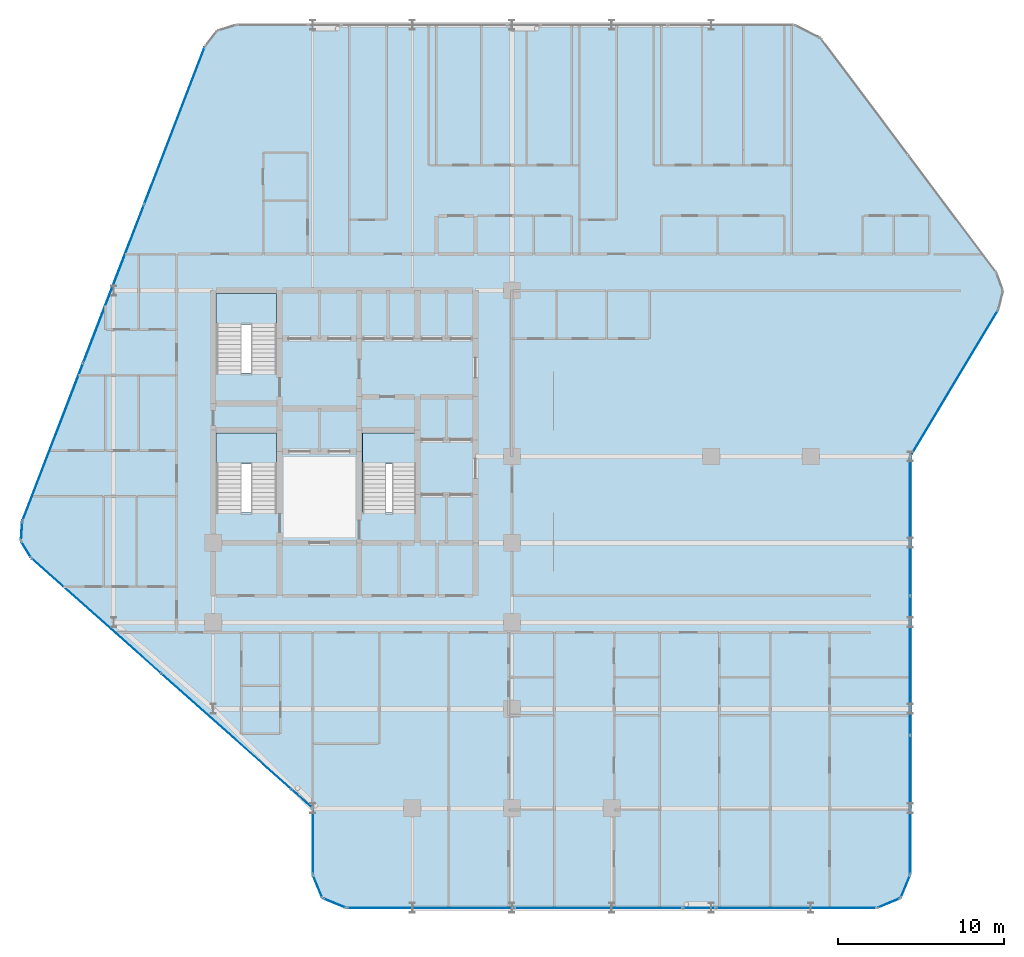
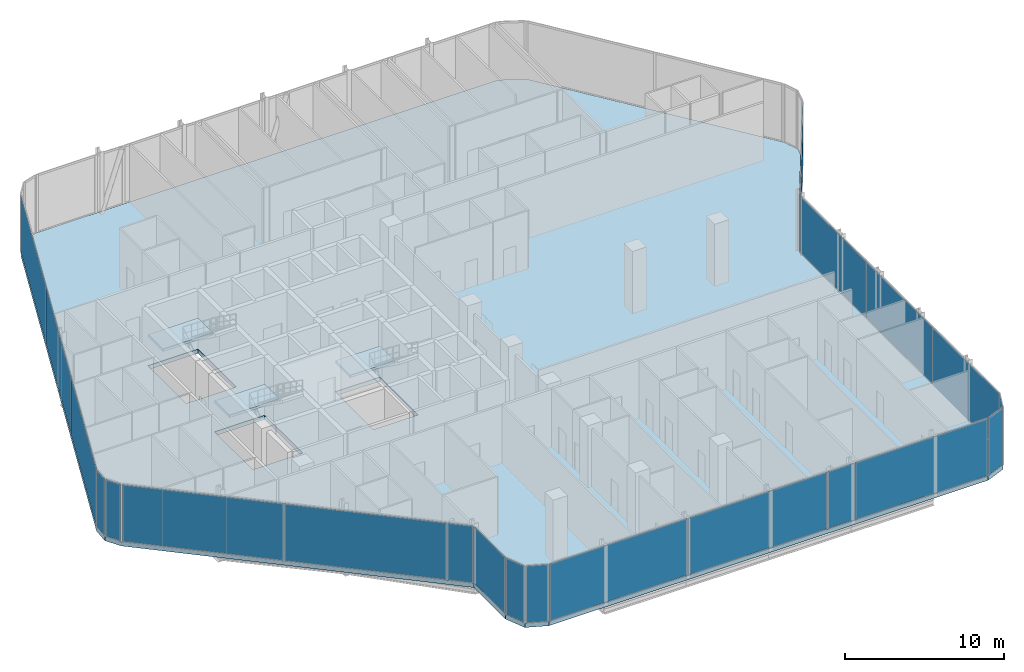
# One storey, part 21 of 29: 21 plates, 4 slabs, 18 elements without a shape of their own.
"""IFC4 building model written with IfcOpenShell, lengths in metres."""

from ifc_helpers import new_model, si_unit, direction, frame, origin, origin_2d, place, context, subcontext, project, spatial, polyline, rectangle, outline, extrude, material, layer, layer_set, type_object, element, aggregate, save


model = new_model("IFC4")

# Units and contexts
model_context = context("Model", 3, precision=1e-05, world=origin(), true_north=direction((0.0, 1.0)))
body_context = subcontext(model_context, "Body", "Model", "MODEL_VIEW")
ifc_project = project(units=[si_unit("LENGTHUNIT", "METRE"), si_unit("AREAUNIT", "SQUARE_METRE"), si_unit("VOLUMEUNIT", "CUBIC_METRE"), si_unit("PLANEANGLEUNIT", "RADIAN"), si_unit("MASSUNIT", "GRAM", prefix="KILO")], contexts=[model_context])

# Site, building, storey
site_placement = place(None, origin())
site = spatial("IfcSite", under=ifc_project, at=site_placement, CompositionType="ELEMENT")
building_placement = place(site_placement, origin())
building = spatial("IfcBuilding", under=site, at=building_placement, Name="Keshet Zoharim Tower", CompositionType="ELEMENT")
storey_placement = place(building_placement, frame((0.0, 0.0, 120.5)))
storey = spatial("IfcBuildingStorey", under=building, at=storey_placement, Name="L29", CompositionType="ELEMENT", Elevation=120.5)

# Curtain wall, plate
ifc_material_1 = material(Name="Aluminium 6063-T6", Category="aluminium")
ifc_layer_1 = layer(ifc_material_1, 0.14990234375)
ifc_layer_set_1 = layer_set([ifc_layer_1], Name="Aluminium 6063-T6")
curtain_wall_type = type_object("IfcCurtainWallType", Name="CW-SYS-04", PredefinedType="NOTDEFINED", material=ifc_layer_set_1)
curtain_wall_1_placement = place(storey_placement, origin())
curtain_wall_1 = element("IfcCurtainWall", 1, at=curtain_wall_1_placement, inside=storey, type_object=curtain_wall_type, Name="L29 Unitised Curtain Wall 01", PredefinedType="NOTDEFINED")
ifc_material_2 = material(Name="Insulated Low-E Clear Glass", Category="glass")
ifc_layer_2 = layer(ifc_material_2, 0.035888671875)
ifc_layer_set_2 = layer_set([ifc_layer_2], Name="Insulated Low-E Clear Glass")
plate_type_1 = type_object("IfcPlateType", Name="CWP-01", PredefinedType="CURTAIN_PANEL", material=ifc_layer_set_2)
plate_1_placement = place(storey_placement, frame((56.70703125, 1.992919921875, 0.06982421875), z_axis=(0.0, 0.0, 1.0), x_axis=(-0.382851849847, -0.92380975372, 0.0)))
plate_1 = element("IfcPlate", 2, at=plate_1_placement, type_object=plate_type_1, Name="CW-04 panel 1.1", PredefinedType="CURTAIN_PANEL", context=body_context, shape_type="SweptSolid", body=[
    extrude(rectangle(XDim=1.390625, YDim=0.035888671875, at=origin_2d()), origin(), (0.0, 0.0, 1.0), 4.340087890625),
])
aggregate(curtain_wall_1, [plate_1])

curtain_wall_2_placement = place(storey_placement, origin())
curtain_wall_2 = element("IfcCurtainWall", 3, at=curtain_wall_2_placement, inside=storey, type_object=curtain_wall_type, Name="L29 Unitised Curtain Wall 02", PredefinedType="NOTDEFINED")
plate_2_placement = place(storey_placement, frame((55.70703125, 0.992919921875, 0.06982421875), z_axis=(0.0, 0.0, 1.0), x_axis=(-0.92380975372, -0.382851849847, 0.0)))
plate_2 = element("IfcPlate", 4, at=plate_2_placement, type_object=plate_type_1, Name="CW-04 panel 1.1", PredefinedType="CURTAIN_PANEL", context=body_context, shape_type="SweptSolid", body=[
    extrude(rectangle(XDim=1.390625, YDim=0.035888671875, at=origin_2d()), origin(), (0.0, 0.0, 1.0), 4.340087890625),
])
aggregate(curtain_wall_2, [plate_2])

curtain_wall_3_placement = place(storey_placement, origin())
curtain_wall_3 = element("IfcCurtainWall", 5, at=curtain_wall_3_placement, inside=storey, type_object=curtain_wall_type, Name="L29 Unitised Curtain Wall 03", PredefinedType="NOTDEFINED")
plate_3_placement = place(storey_placement, frame((50.126708984375, 0.699951171875, 0.06982421875), z_axis=(0.0, 0.0, 1.0), x_axis=(-1.0, 0.0, 0.0)))
plate_3 = element("IfcPlate", 6, at=plate_3_placement, type_object=plate_type_1, Name="CW-04 panel 1.1", PredefinedType="CURTAIN_PANEL", context=body_context, shape_type="SweptSolid", body=[
    extrude(rectangle(XDim=9.6064453125, YDim=0.035888671875, at=origin_2d()), origin(), (0.0, 0.0, 1.0), 4.340087890625),
])
aggregate(curtain_wall_3, [plate_3])

# Curtain wall, plates
curtain_wall_4_placement = place(storey_placement, origin())
curtain_wall_4 = element("IfcCurtainWall", 7, at=curtain_wall_4_placement, inside=storey, type_object=curtain_wall_type, Name="L29 Unitised Curtain Wall 03 Part 3", PredefinedType="NOTDEFINED")
plate_4_placement = place(storey_placement, frame((38.202392578125, 0.699951171875, 0.06982421875), z_axis=(0.0, 0.0, 1.0), x_axis=(-1.0, 0.0, 0.0)))
plate_4 = element("IfcPlate", 8, at=plate_4_placement, type_object=plate_type_1, Name="CW-04 panel 1.1", PredefinedType="CURTAIN_PANEL", context=body_context, shape_type="SweptSolid", body=[
    extrude(rectangle(XDim=10.088134765625, YDim=0.035888671875, at=origin_2d()), origin(), (0.0, 0.0, 1.0), 4.340087890625),
])
plate_5_placement = place(storey_placement, frame((28.0791015625, 0.699951171875, 0.06982421875), z_axis=(0.0, 0.0, 1.0), x_axis=(-1.0, 0.0, 0.0)))
plate_5 = element("IfcPlate", 9, at=plate_5_placement, type_object=plate_type_1, Name="CW-04 panel 2.1", PredefinedType="CURTAIN_PANEL", context=body_context, shape_type="SweptSolid", body=[
    extrude(rectangle(XDim=10.018310546875, YDim=0.035888671875, at=origin_2d()), origin(), (0.0, 0.0, 1.0), 4.340087890625),
])
aggregate(curtain_wall_4, [plate_4, plate_5])

# Curtain wall, plate
curtain_wall_5_placement = place(storey_placement, origin())
curtain_wall_5 = element("IfcCurtainWall", 10, at=curtain_wall_5_placement, inside=storey, type_object=curtain_wall_type, Name="L29 Unitised Curtain Wall 04", PredefinedType="NOTDEFINED")
plate_6_placement = place(storey_placement, frame((22.29296875, 0.992919921875, 0.06982421875), z_axis=(0.0, 0.0, 1.0), x_axis=(-0.92380975372, 0.382851849847, 0.0)))
plate_6 = element("IfcPlate", 11, at=plate_6_placement, type_object=plate_type_1, Name="CW-04 panel 1.1", PredefinedType="CURTAIN_PANEL", context=body_context, shape_type="SweptSolid", body=[
    extrude(rectangle(XDim=1.390625, YDim=0.035888671875, at=origin_2d()), origin(), (0.0, 0.0, 1.0), 4.340087890625),
])
aggregate(curtain_wall_5, [plate_6])

curtain_wall_6_placement = place(storey_placement, origin())
curtain_wall_6 = element("IfcCurtainWall", 12, at=curtain_wall_6_placement, inside=storey, type_object=curtain_wall_type, Name="L29 Unitised Curtain Wall 05", PredefinedType="NOTDEFINED")
plate_7_placement = place(storey_placement, frame((21.29296875, 1.992919921875, 0.06982421875), z_axis=(0.0, 0.0, 1.0), x_axis=(-0.382851849847, 0.92380975372, 0.0)))
plate_7 = element("IfcPlate", 13, at=plate_7_placement, type_object=plate_type_1, Name="CW-04 panel 1.1", PredefinedType="CURTAIN_PANEL", context=body_context, shape_type="SweptSolid", body=[
    extrude(rectangle(XDim=1.390625, YDim=0.035888671875, at=origin_2d()), origin(), (0.0, 0.0, 1.0), 4.340087890625),
])
aggregate(curtain_wall_6, [plate_7])

curtain_wall_7_placement = place(storey_placement, origin())
curtain_wall_7 = element("IfcCurtainWall", 14, at=curtain_wall_7_placement, inside=storey, type_object=curtain_wall_type, Name="L29 Unitised Curtain Wall 06", PredefinedType="NOTDEFINED")
plate_8_placement = place(storey_placement, frame((21.0, 4.699951171875, 0.06982421875), z_axis=(0.0, 0.0, 1.0), x_axis=(0.0, 1.0, 0.0)))
plate_8 = element("IfcPlate", 15, at=plate_8_placement, type_object=plate_type_1, Name="CW-04 panel 1.1", PredefinedType="CURTAIN_PANEL", context=body_context, shape_type="SweptSolid", body=[
    extrude(rectangle(XDim=3.860107421875, YDim=0.035888671875, at=origin_2d()), origin(), (0.0, 0.0, 1.0), 4.340087890625),
])
aggregate(curtain_wall_7, [plate_8])

# Curtain wall, plates
curtain_wall_8_placement = place(storey_placement, origin())
curtain_wall_8 = element("IfcCurtainWall", 16, at=curtain_wall_8_placement, inside=storey, type_object=curtain_wall_type, Name="L29 Unitised Curtain Wall 07 Part 2", PredefinedType="NOTDEFINED")
plate_9_placement = place(storey_placement, frame((15.7900390625, 11.3310546875, 0.06982421875), z_axis=(0.0, 0.0, 1.0), x_axis=(-0.747408001737, 0.664365320392, 0.0)))
plate_9 = element("IfcPlate", 17, at=plate_9_placement, type_object=plate_type_1, Name="CW-04 panel 1.1", PredefinedType="CURTAIN_PANEL", context=body_context, shape_type="SweptSolid", body=[
    extrude(rectangle(XDim=10.4384765625, YDim=0.035888671875, at=origin_2d()), origin(), (0.0, 0.0, 1.0), 4.340087890625),
])
plate_10_placement = place(storey_placement, frame((7.962158203125, 18.289306640625, 0.06982421875), z_axis=(0.0, 0.0, 1.0), x_axis=(-0.747408001737, 0.664365320392, 0.0)))
plate_10 = element("IfcPlate", 18, at=plate_10_placement, type_object=plate_type_1, Name="CW-04 panel 2.1", PredefinedType="CURTAIN_PANEL", context=body_context, shape_type="SweptSolid", body=[
    extrude(rectangle(XDim=10.368408203125, YDim=0.035888671875, at=origin_2d()), origin(), (0.0, 0.0, 1.0), 4.340087890625),
])
aggregate(curtain_wall_8, [plate_9, plate_10])

# Curtain wall, plate
curtain_wall_9_placement = place(storey_placement, origin())
curtain_wall_9 = element("IfcCurtainWall", 19, at=curtain_wall_9_placement, inside=storey, type_object=curtain_wall_type, Name="L29 Unitised Curtain Wall 08", PredefinedType="NOTDEFINED")
plate_11_placement = place(storey_placement, frame((3.7275390625, 22.291015625, 0.06982421875), z_axis=(0.0, 0.0, 1.0), x_axis=(-0.515604947933, 0.856826433805, 0.0)))
plate_11 = element("IfcPlate", 20, at=plate_11_placement, type_object=plate_type_1, Name="CW-04 panel 1.1", PredefinedType="CURTAIN_PANEL", context=body_context, shape_type="SweptSolid", body=[
    extrude(rectangle(XDim=1.052734375, YDim=0.035888671875, at=origin_2d()), origin(), (0.0, 0.0, 1.0), 4.340087890625),
])
aggregate(curtain_wall_9, [plate_11])

curtain_wall_10_placement = place(storey_placement, origin())
curtain_wall_10 = element("IfcCurtainWall", 21, at=curtain_wall_10_placement, inside=storey, type_object=curtain_wall_type, Name="L29 Unitised Curtain Wall 09", PredefinedType="NOTDEFINED")
plate_12_placement = place(storey_placement, frame((3.45849609375, 23.3974609375, 0.06982421875), z_axis=(0.0, 0.0, 1.0), x_axis=(0.064516859374, 0.997916617186, 0.0)))
plate_12 = element("IfcPlate", 22, at=plate_12_placement, type_object=plate_type_1, Name="CW-04 panel 1.1", PredefinedType="CURTAIN_PANEL", context=body_context, shape_type="SweptSolid", body=[
    extrude(rectangle(XDim=1.053466796875, YDim=0.035888671875, at=origin_2d()), origin(), (0.0, 0.0, 1.0), 4.340087890625),
])
aggregate(curtain_wall_10, [plate_12])

# Curtain wall, plates
curtain_wall_11_placement = place(storey_placement, origin())
curtain_wall_11 = element("IfcCurtainWall", 23, at=curtain_wall_11_placement, inside=storey, type_object=curtain_wall_type, Name="L29 Unitised Curtain Wall 10", PredefinedType="NOTDEFINED")
plate_13_placement = place(storey_placement, frame((5.33837890625, 28.7802734375, 0.06982421875), z_axis=(0.0, 0.0, 1.0), x_axis=(0.358990003907, 0.933341404361, 0.0)))
plate_13 = element("IfcPlate", 24, at=plate_13_placement, type_object=plate_type_1, Name="CW-04 panel 1.1", PredefinedType="CURTAIN_PANEL", context=body_context, shape_type="SweptSolid", body=[
    extrude(rectangle(XDim=10.1181640625, YDim=0.035888671875, at=origin_2d()), origin(), (0.0, 0.0, 1.0), 4.340087890625),
])
plate_14_placement = place(storey_placement, frame((9.001953125, 38.305419921875, 0.06982421875), z_axis=(0.0, 0.0, 1.0), x_axis=(0.358990003907, 0.933341404361, 0.0)))
plate_14 = element("IfcPlate", 25, at=plate_14_placement, type_object=plate_type_1, Name="CW-04 panel 2.1", PredefinedType="CURTAIN_PANEL", context=body_context, shape_type="SweptSolid", body=[
    extrude(rectangle(XDim=10.153076171875, YDim=0.035888671875, at=origin_2d()), origin(), (0.0, 0.0, 1.0), 4.340087890625),
])
plate_15_placement = place(storey_placement, frame((12.665771484375, 47.830810546875, 0.06982421875), z_axis=(0.0, 0.0, 1.0), x_axis=(0.358990003907, 0.933341404361, 0.0)))
plate_15 = element("IfcPlate", 26, at=plate_15_placement, type_object=plate_type_1, Name="CW-04 panel 3.1", PredefinedType="CURTAIN_PANEL", context=body_context, shape_type="SweptSolid", body=[
    extrude(rectangle(XDim=10.1181640625, YDim=0.035888671875, at=origin_2d()), origin(), (0.0, 0.0, 1.0), 4.340087890625),
])
aggregate(curtain_wall_11, [plate_13, plate_14, plate_15])

# Curtain wall, plate
curtain_wall_12_placement = place(storey_placement, origin())
curtain_wall_12 = element("IfcCurtainWall", 27, at=curtain_wall_12_placement, inside=storey, type_object=curtain_wall_type, Name="L29 Unitised Curtain Wall 18", PredefinedType="NOTDEFINED")
plate_16_placement = place(storey_placement, frame((59.654052734375, 32.323486328125, 0.06982421875), z_axis=(0.0, 0.0, 1.0), x_axis=(-0.514481501576, -0.857501477862, 0.0)))
plate_16 = element("IfcPlate", 28, at=plate_16_placement, type_object=plate_type_1, Name="CW-04 panel 1.1", PredefinedType="CURTAIN_PANEL", context=body_context, shape_type="SweptSolid", body=[
    extrude(rectangle(XDim=10.17724609375, YDim=0.035888671875, at=origin_2d()), origin(), (0.0, 0.0, 1.0), 4.340087890625),
])
aggregate(curtain_wall_12, [plate_16])

# Curtain wall, plates
curtain_wall_13_placement = place(storey_placement, origin())
curtain_wall_13 = element("IfcCurtainWall", 29, at=curtain_wall_13_placement, inside=storey, type_object=curtain_wall_type, Name="L29 Unitised Curtain Wall 19", PredefinedType="NOTDEFINED")
plate_17_placement = place(storey_placement, frame((57.0, 23.6826171875, 0.06982421875), z_axis=(0.0, 0.0, 1.0), x_axis=(0.0, -1.0, 0.0)))
plate_17 = element("IfcPlate", 30, at=plate_17_placement, type_object=plate_type_1, Name="CW-04 panel 1.1", PredefinedType="CURTAIN_PANEL", context=body_context, shape_type="SweptSolid", body=[
    extrude(rectangle(XDim=8.294921875, YDim=0.035888671875, at=origin_2d()), origin(), (0.0, 0.0, 1.0), 4.340087890625),
])
plate_18_placement = place(storey_placement, frame((57.0, 15.300048828125, 0.06982421875), z_axis=(0.0, 0.0, 1.0), x_axis=(0.0, -1.0, 0.0)))
plate_18 = element("IfcPlate", 31, at=plate_18_placement, type_object=plate_type_1, Name="CW-04 panel 2.1", PredefinedType="CURTAIN_PANEL", context=body_context, shape_type="SweptSolid", body=[
    extrude(rectangle(XDim=8.330078125, YDim=0.035888671875, at=origin_2d()), origin(), (0.0, 0.0, 1.0), 4.340087890625),
])
plate_19_placement = place(storey_placement, frame((57.0, 6.91748046875, 0.06982421875), z_axis=(0.0, 0.0, 1.0), x_axis=(0.0, -1.0, 0.0)))
plate_19 = element("IfcPlate", 32, at=plate_19_placement, type_object=plate_type_1, Name="CW-04 panel 3.1", PredefinedType="CURTAIN_PANEL", context=body_context, shape_type="SweptSolid", body=[
    extrude(rectangle(XDim=8.294921875, YDim=0.035888671875, at=origin_2d()), origin(), (0.0, 0.0, 1.0), 4.340087890625),
])
aggregate(curtain_wall_13, [plate_17, plate_18, plate_19])

# Curtain wall, plate
curtain_wall_14_placement = place(storey_placement, origin())
curtain_wall_14 = element("IfcCurtainWall", 33, at=curtain_wall_14_placement, inside=storey, type_object=curtain_wall_type, Name="L29 Unitised Curtain Wall 03 Part 2", PredefinedType="NOTDEFINED")
ifc_material_3 = material(Name="Insulated Aluminium Spandrel Panel", Category="aluminium")
ifc_layer_3 = layer(ifc_material_3, 0.035888671875)
ifc_layer_set_3 = layer_set([ifc_layer_3], Name="Insulated Aluminium Spandrel Panel")
plate_type_2 = type_object("IfcPlateType", Name="CWP-04", PredefinedType="CURTAIN_PANEL", material=ifc_layer_set_3)
plate_20_placement = place(storey_placement, frame((44.284912109375, 0.699951171875, 0.06982421875), z_axis=(0.0, 0.0, 1.0), x_axis=(-1.0, 0.0, 0.0)))
plate_20 = element("IfcPlate", 34, at=plate_20_placement, type_object=plate_type_2, Name="CW-04 spandrel panel 1.1", PredefinedType="CURTAIN_PANEL", context=body_context, shape_type="SweptSolid", body=[
    extrude(rectangle(XDim=1.937255859375, YDim=0.035888671875, at=origin_2d()), origin(), (0.0, 0.0, 1.0), 4.340087890625),
])
aggregate(curtain_wall_14, [plate_20])

curtain_wall_15_placement = place(storey_placement, origin())
curtain_wall_15 = element("IfcCurtainWall", 35, at=curtain_wall_15_placement, inside=storey, type_object=curtain_wall_type, Name="L29 Unitised Curtain Wall 07", PredefinedType="NOTDEFINED")
plate_21_placement = place(storey_placement, frame((20.345458984375, 7.28173828125, 0.06982421875), z_axis=(0.0, 0.0, 1.0), x_axis=(-0.74742506991, 0.664346118277, 0.0)))
plate_21 = element("IfcPlate", 36, at=plate_21_placement, type_object=plate_type_2, Name="CW-04 spandrel panel 1.1", PredefinedType="CURTAIN_PANEL", context=body_context, shape_type="SweptSolid", body=[
    extrude(rectangle(XDim=1.611328125, YDim=0.035888671875, at=origin_2d()), origin(), (0.0, 0.0, 1.0), 4.340087890625),
])
aggregate(curtain_wall_15, [plate_21])

# Slab
ifc_material_4 = material(Name="Concrete C50/60", Category="concrete")
ifc_layer_4 = layer(ifc_material_4, 0.320068359375)
ifc_layer_set_4 = layer_set([ifc_layer_4], Name="Concrete C50/60")
slab_type_1 = type_object("IfcSlabType", Name="SLB-COM-320", PredefinedType="FLOOR", material=ifc_layer_set_4)
slab_1_placement = place(storey_placement, frame((0.0, 0.0, -0.320068359375)))
element("IfcSlab", 37, at=slab_1_placement, inside=storey, type_object=slab_type_1, Name="L29 Structural Floor Slab 1", PredefinedType="FLOOR", context=body_context, shape_type="SweptSolid", body=[
    extrude(outline(polyline([(57.0, 2.699951171875), (56.4140625, 1.285888671875), (55.0, 0.699951171875), (23.0, 0.699951171875), (21.5859375, 1.285888671875), (21.0, 2.699951171875), (21.0, 6.699951171875), (4.034912109375, 21.780029296875), (3.419921875, 22.802001953125), (3.4970703125, 23.992919921875), (14.507080078125, 52.617919921875), (15.240966796875, 53.549072265625), (16.3740234375, 53.89990234375), (50.0, 53.89990234375), (51.60009765625, 53.10009765625), (62.193115234375, 38.97607421875), (62.590087890625, 37.87890625), (62.30810546875, 36.7470703125), (57.0, 27.89990234375), (57.0, 2.699951171875)]), holes=[polyline([(15.179931640625, 24.52001953125), (18.820068359375, 24.52001953125), (18.820068359375, 29.320068359375), (15.179931640625, 29.320068359375), (15.179931640625, 24.52001953125)]), polyline([(15.179931640625, 32.919921875), (18.820068359375, 32.919921875), (18.820068359375, 37.719970703125), (15.179931640625, 37.719970703125), (15.179931640625, 32.919921875)]), polyline([(23.97998046875, 24.52001953125), (27.219970703125, 24.52001953125), (27.219970703125, 29.320068359375), (23.97998046875, 29.320068359375), (23.97998046875, 24.52001953125)])]), origin(), (0.0, 0.0, 1.0), 0.320068359375),
])

# Stair, slab
stair_type = type_object("IfcStairType", Name="STR-EXIT-135", PredefinedType="HALF_TURN_STAIR", material=ifc_material_4)
stair_1_placement = place(storey_placement, origin())
stair_1 = element("IfcStair", 38, at=stair_1_placement, inside=storey, type_object=stair_type, Name="L29 Enclosed Exit Stair ST-01", PredefinedType="HALF_TURN_STAIR")
ifc_layer_5 = layer(ifc_material_4, 0.199951171875)
ifc_layer_set_5 = layer_set([ifc_layer_5], Name="Concrete C50/60")
slab_type_2 = type_object("IfcSlabType", Name="SLB-LND-200", PredefinedType="LANDING", material=ifc_layer_set_5)
slab_2_placement = place(storey_placement, frame((0.0, 0.0, 2.199951171875)))
slab_2 = element("IfcSlab", 39, at=slab_2_placement, type_object=slab_type_2, Name="ST-01 landing 1", PredefinedType="LANDING", context=body_context, shape_type="SweptSolid", body=[
    extrude(outline(polyline([(15.179931640625, 27.4560546875), (18.820068359375, 27.4560546875), (18.820068359375, 29.320068359375), (15.179931640625, 29.320068359375), (15.179931640625, 27.4560546875)])), origin(), (0.0, 0.0, 1.0), 0.199951171875),
])
aggregate(stair_1, [slab_2])

stair_2_placement = place(storey_placement, origin())
stair_2 = element("IfcStair", 40, at=stair_2_placement, inside=storey, type_object=stair_type, Name="L29 Enclosed Exit Stair ST-02", PredefinedType="HALF_TURN_STAIR")
slab_3_placement = place(storey_placement, frame((0.0, 0.0, 2.199951171875)))
slab_3 = element("IfcSlab", 41, at=slab_3_placement, type_object=slab_type_2, Name="ST-02 landing 1", PredefinedType="LANDING", context=body_context, shape_type="SweptSolid", body=[
    extrude(outline(polyline([(15.179931640625, 35.85595703125), (18.820068359375, 35.85595703125), (18.820068359375, 37.719970703125), (15.179931640625, 37.719970703125), (15.179931640625, 35.85595703125)])), origin(), (0.0, 0.0, 1.0), 0.199951171875),
])
aggregate(stair_2, [slab_3])

stair_3_placement = place(storey_placement, origin())
stair_3 = element("IfcStair", 42, at=stair_3_placement, inside=storey, type_object=stair_type, Name="L29 Enclosed Exit Stair ST-03", PredefinedType="HALF_TURN_STAIR")
slab_4_placement = place(storey_placement, frame((0.0, 0.0, 2.199951171875)))
slab_4 = element("IfcSlab", 43, at=slab_4_placement, type_object=slab_type_2, Name="ST-03 landing 1", PredefinedType="LANDING", context=body_context, shape_type="SweptSolid", body=[
    extrude(outline(polyline([(23.97998046875, 27.4560546875), (27.219970703125, 27.4560546875), (27.219970703125, 29.320068359375), (23.97998046875, 29.320068359375), (23.97998046875, 27.4560546875)])), origin(), (0.0, 0.0, 1.0), 0.199951171875),
])
aggregate(stair_3, [slab_4])

save(model, "model.ifc")
